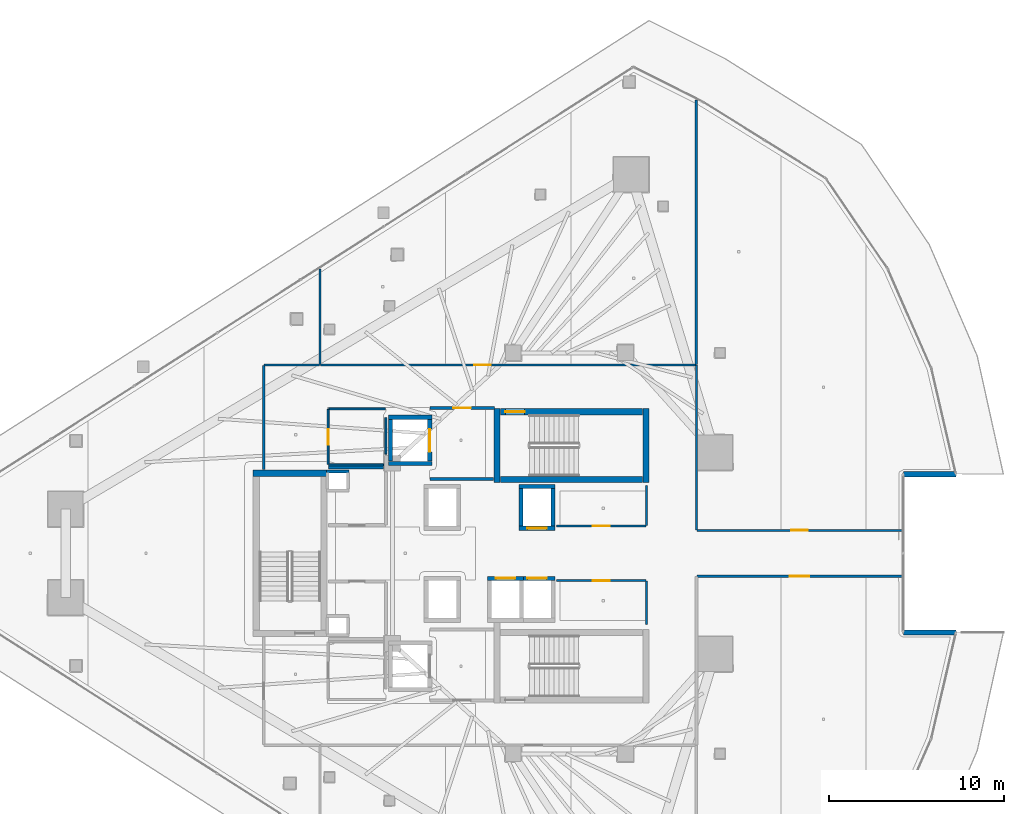
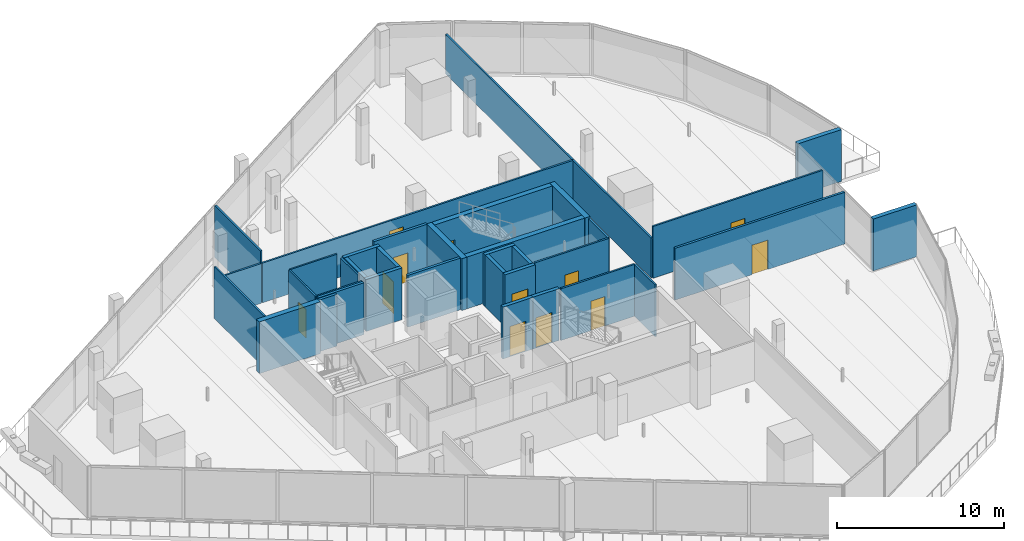
# One storey, part 26 of 36: 37 walls, 12 doors, 12 openings.
"""IFC4 building model written with IfcOpenShell, lengths in metres."""

import ifcopenshell
import ifcopenshell.guid

model = None  # the IFC model being written
_history = None  # IfcOwnerHistory: only IFC2X3 demands one
_inside = {}  # id of a spatial element -> (the spatial element, [elements in it])
_under = {}  # id of a project, library or spatial element -> (it, [spatial elements below it])
_declared = {}  # id of a project -> (the project, [libraries it declares])
_typed = {}  # id of a type object -> (the type object, [elements of that type])
_made_of = {}  # id of a material, layer set ... -> (it, [elements and type objects made of it])


def new_model(schema):
    """Start an empty IFC model of exactly this schema.

    Asked for "IFC4X3", IfcOpenShell would pick the latest addendum, in which some entities
    have other attributes; the version numbers below select the first issue.
    IFC2X3 requires an IfcOwnerHistory on every rooted entity: one is made here for all.
    """
    global model, _history
    if schema == "IFC4X3":
        model = ifcopenshell.file(schema_version=(4, 3, 0, 0))
    else:
        model = ifcopenshell.file(schema=schema)
    _inside.clear()
    _under.clear()
    _declared.clear()
    _typed.clear()
    _made_of.clear()
    _history = None
    if model.schema == "IFC2X3":
        org = make("IfcOrganization", Name="unknown")
        user = make(
            "IfcPersonAndOrganization",
            ThePerson=make("IfcPerson", FamilyName="unknown"),
            TheOrganization=org,
        )
        app = make(
            "IfcApplication",
            ApplicationDeveloper=org,
            Version="unknown",
            ApplicationFullName="unknown",
            ApplicationIdentifier="unknown",
        )
        _history = make(
            "IfcOwnerHistory",
            OwningUser=user,
            OwningApplication=app,
            ChangeAction="ADDED",
            CreationDate=0,
        )
    return model


def make(cls, **values):
    """One entity of the class cls with the attributes given. An attribute that is None is left unset."""
    return model.create_entity(
        cls, **{name: value for name, value in values.items() if value is not None}
    )


def rooted(cls, **values):
    """An entity with a GlobalId (a new one), such as an element, a storey or a relation."""
    return make(cls, GlobalId=ifcopenshell.guid.new(), OwnerHistory=_history, **values)


def si_unit(unit_type, name, prefix=None):
    """IfcSIUnit, for example si_unit("LENGTHUNIT", "METRE", prefix="MILLI")."""
    return make("IfcSIUnit", UnitType=unit_type, Prefix=prefix, Name=name)


def assignment(units):
    """IfcUnitAssignment: the units of a project."""
    return None if units is None else make("IfcUnitAssignment", Units=units)


def point(xyz):
    """IfcCartesianPoint."""
    return None if xyz is None else make("IfcCartesianPoint", Coordinates=xyz)


def direction(xyz):
    """IfcDirection."""
    return None if xyz is None else make("IfcDirection", DirectionRatios=xyz)


def frame(location, z_axis=None, x_axis=None):
    """IfcAxis2Placement3D, a coordinate frame: its origin and axes. An axis left out is left unset."""
    return make(
        "IfcAxis2Placement3D",
        Location=point(location),
        Axis=direction(z_axis),
        RefDirection=direction(x_axis),
    )


def frame_2d(location, x_axis=None):
    """IfcAxis2Placement2D, a coordinate frame in the plane: its origin and x axis."""
    return make(
        "IfcAxis2Placement2D", Location=point(location), RefDirection=direction(x_axis)
    )


def origin():
    """The frame at (0, 0, 0) with its axes left unset."""
    return frame((0.0, 0.0, 0.0))


def place(relative_to, where):
    """IfcLocalPlacement: puts the frame where relative to a parent placement (None: the world)."""
    return make(
        "IfcLocalPlacement", PlacementRelTo=relative_to, RelativePlacement=where
    )


def context(
    kind, dimensions, precision=None, world=None, true_north=None, identifier=None
):
    """IfcGeometricRepresentationContext, for example the 3D "Model" context."""
    return make(
        "IfcGeometricRepresentationContext",
        ContextIdentifier=identifier,
        ContextType=kind,
        CoordinateSpaceDimension=dimensions,
        Precision=precision,
        WorldCoordinateSystem=world,
        TrueNorth=true_north,
    )


def subcontext(parent, identifier, kind, view, scale=None):
    """IfcGeometricRepresentationSubContext, for example "Body" below "Model"."""
    return make(
        "IfcGeometricRepresentationSubContext",
        ContextIdentifier=identifier,
        ContextType=kind,
        ParentContext=parent,
        TargetScale=scale,
        TargetView=view,
    )


def project(units=None, contexts=None):
    """IfcProject with its units and contexts."""
    return rooted(
        "IfcProject",
        Name="project",
        RepresentationContexts=contexts,
        UnitsInContext=assignment(units),
    )


def spatial(cls, under=None, at=None, **own):
    """A site, building, storey or space (cls), placed at a placement, below another one or the project."""
    s = rooted(cls, ObjectPlacement=at, **own)
    if under is not None:
        _under.setdefault(under.id(), (under, []))[1].append(s)
    return s


def profile(cls, at=None, kind="AREA", **sizes):
    """A parametric profile (cls). Its sizes go by their IFC names, for example OverallWidth=200.0."""
    return make(cls, ProfileType=kind, Position=at, **sizes)


def rectangle(**sizes):
    """IfcRectangleProfileDef."""
    return profile("IfcRectangleProfileDef", **sizes)


def extrude(swept, where, along, depth):
    """IfcExtrudedAreaSolid: the profile swept, set in the frame where, extruded along a direction by depth."""
    return make(
        "IfcExtrudedAreaSolid",
        SweptArea=swept,
        Position=where,
        ExtrudedDirection=direction(along),
        Depth=depth,
    )


def shape(context_of_items, identifier, shape_type, items):
    """IfcShapeRepresentation: the items that make up one representation, for example the "Body"."""
    return make(
        "IfcShapeRepresentation",
        ContextOfItems=context_of_items,
        RepresentationIdentifier=identifier,
        RepresentationType=shape_type,
        Items=items,
    )


def material(Name=None, Category=None):
    """IfcMaterial."""
    return make("IfcMaterial", Name=Name, Category=Category)


def layer(
    of_material, thickness, ventilated=None, Name=None, Category=None, Priority=None
):
    """IfcMaterialLayer: one layer of a wall or slab, of a material (None: an air gap)."""
    return make(
        "IfcMaterialLayer",
        Material=of_material,
        LayerThickness=thickness,
        IsVentilated=ventilated,
        Name=Name,
        Category=Category,
        Priority=Priority,
    )


def layer_set(layers, Name=None):
    """IfcMaterialLayerSet."""
    return make("IfcMaterialLayerSet", MaterialLayers=layers, LayerSetName=Name)


def made_of(thing, what):
    """Note that an element or type object is made of a material, layer set ...; save() writes the relation."""
    if what is not None:
        _made_of.setdefault(what.id(), (what, []))[1].append(thing)
    return thing


def type_object(cls, material=None, **own):
    """A type object (cls), such as IfcWallType, which elements share."""
    return made_of(rooted(cls, **own), material)


def element(
    cls,
    number,
    at=None,
    inside=None,
    cuts=None,
    type_object=None,
    material=None,
    context=None,
    identifier="Body",
    shape_type=None,
    held_by="IfcProductDefinitionShape",
    body=None,
    shapes=None,
    **own,
):
    """One element of the class cls, such as IfcWall. Its Tag is "e" and its number.

    at: its placement. inside: the storey or other place that contains it. cuts: it is an
    opening in that element (IfcRelVoidsElement). A single representation is given by context,
    identifier, shape_type and body (its items); several are given by shapes. held_by: the class
    of the entity that holds the representations. save() writes the other relations.
    """
    e = rooted(cls, Tag="e%d" % number, ObjectPlacement=at, **own)
    if body is not None:
        shapes = [shape(context, identifier, shape_type, body)]
    if shapes is not None:
        e.Representation = make(held_by, Representations=shapes)
    if inside is not None:
        _inside.setdefault(inside.id(), (inside, []))[1].append(e)
    if cuts is not None:
        rooted(
            "IfcRelVoidsElement", RelatingBuildingElement=cuts, RelatedOpeningElement=e
        )
    if type_object is not None:
        _typed.setdefault(type_object.id(), (type_object, []))[1].append(e)
    return made_of(e, material)


def fill(opening, filler):
    """IfcRelFillsElement: the door or window that sits in an opening."""
    return rooted(
        "IfcRelFillsElement",
        RelatingOpeningElement=opening,
        RelatedBuildingElement=filler,
    )


def aggregate(whole, parts):
    """IfcRelAggregates: a whole, such as a stair, and the parts it consists of."""
    return rooted("IfcRelAggregates", RelatingObject=whole, RelatedObjects=parts)


def save(model, path):
    """Write the relations noted so far, then the file.

    IfcRelAggregates (storeys below a building ...), IfcRelContainedInSpatialStructure (elements
    in a storey), IfcRelDefinesByType, IfcRelAssociatesMaterial and IfcRelDeclares: one each for
    every whole, place, type object, material and project.
    """
    for whole, parts in _under.values():
        aggregate(whole, parts)
    for where, things in _inside.values():
        rooted(
            "IfcRelContainedInSpatialStructure",
            RelatedElements=things,
            RelatingStructure=where,
        )
    for kind, things in _typed.values():
        rooted("IfcRelDefinesByType", RelatedObjects=things, RelatingType=kind)
    for what, things in _made_of.values():
        rooted("IfcRelAssociatesMaterial", RelatedObjects=things, RelatingMaterial=what)
    for by, libraries in _declared.values():
        rooted("IfcRelDeclares", RelatingContext=by, RelatedDefinitions=libraries)
    model.write(path)


model = new_model("IFC4")

# Units and contexts
model_context = context("Model", 3, precision=1e-05, world=origin(), true_north=direction((0.0, 1.0)))
body_context = subcontext(model_context, "Body", "Model", "MODEL_VIEW")
ifc_project = project(units=[si_unit("LENGTHUNIT", "METRE"), si_unit("AREAUNIT", "SQUARE_METRE"), si_unit("VOLUMEUNIT", "CUBIC_METRE"), si_unit("PLANEANGLEUNIT", "RADIAN"), si_unit("MASSUNIT", "GRAM", prefix="KILO")], contexts=[model_context])

# Site, building, storey
site_placement = place(None, origin())
site = spatial("IfcSite", under=ifc_project, at=site_placement, CompositionType="ELEMENT")
building_placement = place(site_placement, origin())
building = spatial("IfcBuilding", under=site, at=building_placement, Name="Qorvath Tower", CompositionType="ELEMENT")
storey_placement = place(building_placement, frame((0.0, 0.0, 192.89990234375)))
storey = spatial("IfcBuildingStorey", under=building, at=storey_placement, Name="L44", CompositionType="ELEMENT", Elevation=192.89990234375)

# Walls
ifc_material_1 = material(Name="Gypsum shaftliner on steel studs", Category="steel")
ifc_layer_1 = layer(ifc_material_1, 0.179931640625)
ifc_layer_set_1 = layer_set([ifc_layer_1], Name="FW-LOBBY")
wall_type_1 = type_object("IfcWallType", Name="FW-LOBBY", PredefinedType="PARTITIONING", material=ifc_layer_set_1)
wall_1_placement = place(storey_placement, frame((-34.260009765625, 4.675048828125, 0.0), z_axis=(0.0, 0.0, 1.0), x_axis=(1.0, 0.0, 0.0)))
element("IfcWall", 1, at=wall_1_placement, inside=storey, type_object=wall_type_1, Name="MEP Riser Shaft Enclosure Wall N-L44-N", PredefinedType="PARTITIONING", context=body_context, shape_type="SweptSolid", body=[
    extrude(rectangle(XDim=1.27001953125, YDim=0.179931640625, at=frame_2d((0.635009765625, 0.0))), origin(), (0.0, 0.0, 1.0), 3.780029296875),
])
wall_2_placement = place(storey_placement, frame((-28.35498046875, 4.25, 0.0), z_axis=(0.0, 0.0, 1.0), x_axis=(1.0, 0.0, 0.0)))
element("IfcWall", 2, at=wall_2_placement, inside=storey, type_object=wall_type_1, Name="Interior Partition IW-T1-L44-001", PredefinedType="PARTITIONING", context=body_context, shape_type="SweptSolid", body=[
    extrude(rectangle(XDim=3.6220703125, YDim=0.179931640625, at=frame_2d((1.81103515625, 0.0))), origin(), (0.0, 0.0, 1.0), 3.780029296875),
])

# Wall, opening, door
wall_3_placement = place(storey_placement, frame((-24.68408203125, 8.300048828125, 0.0), z_axis=(0.0, 0.0, 1.0), x_axis=(-1.0, 0.0, 0.0)))
wall_3 = element("IfcWall", 3, at=wall_3_placement, inside=storey, type_object=wall_type_1, Name="Interior Partition IW-T1-L44-002", PredefinedType="PARTITIONING", context=body_context, shape_type="SweptSolid", body=[
    extrude(rectangle(XDim=3.6708984375, YDim=0.179931640625, at=frame_2d((1.83544921875, 0.0))), origin(), (0.0, 0.0, 1.0), 3.780029296875),
])
opening_1_placement = place(wall_3_placement, frame((1.33544921875, 0.0, 0.0)))
opening_1 = element("IfcOpeningElement", 4, at=opening_1_placement, cuts=wall_3, Name="Opening D-T1-L44-12", PredefinedType="OPENING", context=body_context, shape_type="SweptSolid", body=[
    extrude(rectangle(XDim=1.0, YDim=2.14990234375, at=frame_2d((0.5, 1.074951171875))), frame((0.0, 0.10009765625, 0.0), z_axis=(0.0, -1.0, 0.0), x_axis=(1.0, 0.0, 0.0)), (0.0, 0.0, 1.0), 0.199951171875),
])
ifc_material_2 = material(Name="Painted galvanised hollow metal", Category="steel")
door_type_1 = type_object("IfcDoorType", Name="FD-60", OperationType="NOTDEFINED", PredefinedType="DOOR", material=ifc_material_2)
door_1_placement = place(opening_1_placement, origin())
door_1 = element("IfcDoor", 5, at=door_1_placement, inside=storey, type_object=door_type_1, Name="Lobby Fire Service Elevator North Door D-T1-L44-12", OperationType="SINGLE_SWING_RIGHT", OverallHeight=2.14990234375, OverallWidth=1.0, PredefinedType="DOOR", context=body_context, shape_type="SweptSolid", body=[
    extrude(rectangle(XDim=1.0, YDim=2.14990234375, at=frame_2d((0.5, 1.074951171875))), frame((0.0, 0.02490234375, 0.0), z_axis=(0.0, -1.0, 0.0), x_axis=(1.0, 0.0, 0.0)), (0.0, 0.0, 1.0), 0.050048828125),
])
fill(opening_1, door_1)

# Wall
wall_4_placement = place(storey_placement, frame((-31.014892578125, 4.89990234375, 0.0), z_axis=(0.0, 0.0, 1.0), x_axis=(-1.0, 0.0, 0.0)))
element("IfcWall", 6, at=wall_4_placement, inside=storey, type_object=wall_type_1, Name="Interior Partition IW-T1-L44-019", PredefinedType="PARTITIONING", context=body_context, shape_type="SweptSolid", body=[
    extrude(rectangle(XDim=3.139892578125, YDim=0.179931640625, at=frame_2d((1.56982421875, 0.0))), origin(), (0.0, 0.0, 1.0), 3.780029296875),
])

# Wall, opening, door
ifc_material_3 = material(Name="Double acoustic gypsum board on steel studs", Category="steel")
ifc_layer_2 = layer(ifc_material_3, 0.159912109375)
ifc_layer_set_2 = layer_set([ifc_layer_2], Name="IW-ACOUSTIC-160")
wall_type_2 = type_object("IfcWallType", Name="IW-ACOUSTIC-160", PredefinedType="PARTITIONING", material=ifc_layer_set_2)
wall_5_placement = place(storey_placement, frame((-1.4091796875, -1.30810546875, 0.0), z_axis=(0.0, 0.0, 1.0), x_axis=(-1.0, 0.0, 0.0)))
wall_5 = element("IfcWall", 7, at=wall_5_placement, inside=storey, type_object=wall_type_2, Name="Interior Partition IW-T1-L44-035", PredefinedType="PARTITIONING", context=body_context, shape_type="SweptSolid", body=[
    extrude(rectangle(XDim=11.7080078125, YDim=0.159912109375, at=frame_2d((5.85400390625, 0.0))), origin(), (0.0, 0.0, 1.0), 3.780029296875),
])
opening_2_placement = place(wall_5_placement, frame((5.303955078125, 0.0, 0.0)))
opening_2 = element("IfcOpeningElement", 8, at=opening_2_placement, cuts=wall_5, Name="Opening D-T1-L44-11", PredefinedType="OPENING", context=body_context, shape_type="SweptSolid", body=[
    extrude(rectangle(XDim=1.10009765625, YDim=2.14990234375, at=frame_2d((0.550048828125, 1.074951171875))), frame((0.0, 0.08984375, 0.0), z_axis=(0.0, -1.0, 0.0), x_axis=(1.0, 0.0, 0.0)), (0.0, 0.0, 1.0), 0.179931640625),
])
ifc_material_4 = material(Name="Anodised aluminium acoustic framed glass", Category="aluminium")
door_type_2 = type_object("IfcDoorType", Name="D-03", OperationType="NOTDEFINED", PredefinedType="DOOR", material=ifc_material_4)
door_2_placement = place(opening_2_placement, origin())
door_2 = element("IfcDoor", 9, at=door_2_placement, inside=storey, type_object=door_type_2, Name="L44-05 Client Services Office Door D-T1-L44-11", OperationType="SINGLE_SWING_LEFT", OverallHeight=2.14990234375, OverallWidth=1.10009765625, PredefinedType="DOOR", context=body_context, shape_type="SweptSolid", body=[
    extrude(rectangle(XDim=1.10009765625, YDim=2.14990234375, at=frame_2d((0.550048828125, 1.074951171875))), frame((0.0, 0.02490234375, 0.0), z_axis=(0.0, -1.0, 0.0), x_axis=(1.0, 0.0, 0.0)), (0.0, 0.0, 1.0), 0.050048828125),
])
fill(opening_2, door_2)

ifc_material_5 = material(Name="Gypsum board on metal studs with mineral wool", Category="gypsum")
ifc_layer_3 = layer(ifc_material_5, 0.125)
ifc_layer_set_3 = layer_set([ifc_layer_3], Name="IW-PART-125")
wall_type_3 = type_object("IfcWallType", Name="IW-PART-125", PredefinedType="PARTITIONING", material=ifc_layer_set_3)
wall_6_placement = place(storey_placement, frame((-21.1337890625, 1.56005859375, 0.0), z_axis=(0.0, 0.0, 1.0), x_axis=(1.0, 0.0, 0.0)))
wall_6 = element("IfcWall", 10, at=wall_6_placement, inside=storey, type_object=wall_type_3, Name="Interior Partition IW-T1-L44-013", PredefinedType="PARTITIONING", context=body_context, shape_type="SweptSolid", body=[
    extrude(rectangle(XDim=5.10888671875, YDim=0.125, at=frame_2d((2.554443359375, 0.0))), origin(), (0.0, 0.0, 1.0), 3.780029296875),
])
opening_3_placement = place(wall_6_placement, frame((2.079345703125, 0.0, 0.0)))
opening_3 = element("IfcOpeningElement", 11, at=opening_3_placement, cuts=wall_6, Name="Opening D-T1-L44-03", PredefinedType="OPENING", context=body_context, shape_type="SweptSolid", body=[
    extrude(rectangle(XDim=0.949951171875, YDim=2.14990234375, at=frame_2d((0.47509765625, 1.074951171875))), frame((0.0, 0.072509765625, 0.0), z_axis=(0.0, -1.0, 0.0), x_axis=(1.0, 0.0, 0.0)), (0.0, 0.0, 1.0), 0.14501953125),
])
ifc_material_6 = material(Name="Solid-core American white oak veneer", Category="wood")
door_type_3 = type_object("IfcDoorType", Name="D-01", OperationType="NOTDEFINED", PredefinedType="DOOR", material=ifc_material_6)
door_3_placement = place(opening_3_placement, origin())
door_3 = element("IfcDoor", 12, at=door_3_placement, inside=storey, type_object=door_type_3, Name="L44-RCN North Quantitative Server Room Door D-T1-L44-03", OperationType="SINGLE_SWING_LEFT", OverallHeight=2.14990234375, OverallWidth=0.949951171875, PredefinedType="DOOR", context=body_context, shape_type="SweptSolid", body=[
    extrude(rectangle(XDim=0.949951171875, YDim=2.14990234375, at=frame_2d((0.47509765625, 1.074951171875))), frame((0.0, 0.02490234375, 0.0), z_axis=(0.0, -1.0, 0.0), x_axis=(1.0, 0.0, 0.0)), (0.0, 0.0, 1.0), 0.050048828125),
])
fill(opening_3, door_3)

# Walls
wall_7_placement = place(storey_placement, frame((-16.0, 1.585205078125, 0.0), z_axis=(0.0, 0.0, 1.0), x_axis=(0.0, 1.0, 0.0)))
element("IfcWall", 13, at=wall_7_placement, inside=storey, type_object=wall_type_3, Name="Interior Partition IW-T1-L44-014", PredefinedType="PARTITIONING", context=body_context, shape_type="SweptSolid", body=[
    extrude(rectangle(XDim=2.30224609375, YDim=0.125, at=frame_2d((1.151123046875, 0.0))), origin(), (0.0, 0.0, 1.0), 3.780029296875),
])
wall_8_placement = place(storey_placement, frame((-16.0, -4.0751953125, 0.0), z_axis=(0.0, 0.0, 1.0), x_axis=(0.0, 1.0, 0.0)))
element("IfcWall", 14, at=wall_8_placement, inside=storey, type_object=wall_type_3, Name="Interior Partition IW-T1-L44-015", PredefinedType="PARTITIONING", context=body_context, shape_type="SweptSolid", body=[
    extrude(rectangle(XDim=2.489990234375, YDim=0.125, at=frame_2d((1.2451171875, 0.0))), origin(), (0.0, 0.0, 1.0), 3.780029296875),
])

# Wall, opening, door
wall_9_placement = place(storey_placement, frame((-16.02490234375, -1.56005859375, 0.0), z_axis=(0.0, 0.0, 1.0), x_axis=(-1.0, 0.0, 0.0)))
wall_9 = element("IfcWall", 15, at=wall_9_placement, inside=storey, type_object=wall_type_3, Name="Interior Partition IW-T1-L44-016", PredefinedType="PARTITIONING", context=body_context, shape_type="SweptSolid", body=[
    extrude(rectangle(XDim=5.10888671875, YDim=0.125, at=frame_2d((2.554443359375, 0.0))), origin(), (0.0, 0.0, 1.0), 3.780029296875),
])
opening_4_placement = place(wall_9_placement, frame((2.079345703125, 0.0, 0.0)))
opening_4 = element("IfcOpeningElement", 16, at=opening_4_placement, cuts=wall_9, Name="Opening D-T1-L44-04", PredefinedType="OPENING", context=body_context, shape_type="SweptSolid", body=[
    extrude(rectangle(XDim=0.949951171875, YDim=2.14990234375, at=frame_2d((0.47509765625, 1.074951171875))), frame((0.0, 0.072509765625, 0.0), z_axis=(0.0, -1.0, 0.0), x_axis=(1.0, 0.0, 0.0)), (0.0, 0.0, 1.0), 0.14501953125),
])
door_4_placement = place(opening_4_placement, origin())
door_4 = element("IfcDoor", 17, at=door_4_placement, inside=storey, type_object=door_type_3, Name="L44-RCS South Quantitative Server Room Door D-T1-L44-04", OperationType="SINGLE_SWING_RIGHT", OverallHeight=2.14990234375, OverallWidth=0.949951171875, PredefinedType="DOOR", context=body_context, shape_type="SweptSolid", body=[
    extrude(rectangle(XDim=0.949951171875, YDim=2.14990234375, at=frame_2d((0.47509765625, 1.074951171875))), frame((0.0, 0.02490234375, 0.0), z_axis=(0.0, -1.0, 0.0), x_axis=(1.0, 0.0, 0.0)), (0.0, 0.0, 1.0), 0.050048828125),
])
fill(opening_4, door_4)

# Walls
wall_10_placement = place(storey_placement, frame((-37.85791015625, 4.783203125, 0.0), z_axis=(0.0, 0.0, 1.0), x_axis=(0.0, 1.0, 0.0)))
element("IfcWall", 18, at=wall_10_placement, inside=storey, type_object=wall_type_3, Name="Interior Partition IW-T1-L44-026", PredefinedType="PARTITIONING", context=body_context, shape_type="SweptSolid", body=[
    extrude(rectangle(XDim=5.949951171875, YDim=0.125, at=frame_2d((2.97509765625, 0.0))), origin(), (0.0, 0.0, 1.0), 3.780029296875),
])
wall_11_placement = place(storey_placement, frame((-34.6748046875, 10.758056640625, 0.0), z_axis=(0.0, 0.0, 1.0), x_axis=(-1.0, 0.0, 0.0)))
element("IfcWall", 19, at=wall_11_placement, inside=storey, type_object=wall_type_3, Name="Interior Partition IW-T1-L44-027", PredefinedType="PARTITIONING", context=body_context, shape_type="SweptSolid", body=[
    extrude(rectangle(XDim=3.158203125, YDim=0.125, at=frame_2d((1.5791015625, 0.0))), origin(), (0.0, 0.0, 1.0), 2.89990234375),
])
wall_12_placement = place(storey_placement, frame((-34.64990234375, 10.783203125, 0.0), z_axis=(0.0, 0.0, 1.0), x_axis=(0.0, 1.0, 0.0)))
element("IfcWall", 20, at=wall_12_placement, inside=storey, type_object=wall_type_3, Name="Interior Partition IW-T1-L44-028", PredefinedType="PARTITIONING", context=body_context, shape_type="SweptSolid", body=[
    extrude(rectangle(XDim=5.462890625, YDim=0.125, at=frame_2d((2.7314453125, 0.0))), origin(), (0.0, 0.0, 1.0), 3.780029296875),
])

# Wall, opening, door
wall_13_placement = place(storey_placement, frame((-34.6171875, 10.758056640625, 0.0), z_axis=(0.0, 0.0, 1.0), x_axis=(1.0, 0.0, 0.0)))
wall_13 = element("IfcWall", 21, at=wall_13_placement, inside=storey, type_object=wall_type_3, Name="Interior Partition IW-T1-L44-029", PredefinedType="PARTITIONING", context=body_context, shape_type="SweptSolid", body=[
    extrude(rectangle(XDim=21.4423828125, YDim=0.125, at=frame_2d((10.72119140625, 0.0))), origin(), (0.0, 0.0, 1.0), 2.89990234375),
])
opening_5_placement = place(wall_13_placement, frame((8.782470703125, 0.0, 0.0)))
opening_5 = element("IfcOpeningElement", 22, at=opening_5_placement, cuts=wall_13, Name="Opening D-T1-L44-08", PredefinedType="OPENING", context=body_context, shape_type="SweptSolid", body=[
    extrude(rectangle(XDim=0.949951171875, YDim=2.14990234375, at=frame_2d((0.47509765625, 1.074951171875))), frame((0.0, 0.072509765625, 0.0), z_axis=(0.0, -1.0, 0.0), x_axis=(1.0, 0.0, 0.0)), (0.0, 0.0, 1.0), 0.14501953125),
])
door_5_placement = place(opening_5_placement, origin())
door_5 = element("IfcDoor", 23, at=door_5_placement, inside=storey, type_object=door_type_3, Name="L44-02 Quantitative Research Studio Door D-T1-L44-08", OperationType="SINGLE_SWING_RIGHT", OverallHeight=2.14990234375, OverallWidth=0.949951171875, PredefinedType="DOOR", context=body_context, shape_type="SweptSolid", body=[
    extrude(rectangle(XDim=0.949951171875, YDim=2.14990234375, at=frame_2d((0.47509765625, 1.074951171875))), frame((0.0, 0.02490234375, 0.0), z_axis=(0.0, -1.0, 0.0), x_axis=(1.0, 0.0, 0.0)), (0.0, 0.0, 1.0), 0.050048828125),
])
fill(opening_5, door_5)

# Walls
wall_14_placement = place(storey_placement, frame((-13.14990234375, 10.783203125, 0.0), z_axis=(0.0, 0.0, 1.0), x_axis=(0.0, 1.0, 0.0)))
element("IfcWall", 24, at=wall_14_placement, inside=storey, type_object=wall_type_3, Name="Interior Partition IW-T1-L44-030", PredefinedType="PARTITIONING", context=body_context, shape_type="SweptSolid", body=[
    extrude(rectangle(XDim=15.111328125, YDim=0.125, at=frame_2d((7.5556640625, 0.0))), origin(), (0.0, 0.0, 1.0), 2.89990234375),
])
wall_15_placement = place(storey_placement, frame((-13.14208984375, 10.75830078125, 0.0), z_axis=(0.0, 0.0, 1.0), x_axis=(0.0, -1.0, 0.0)))
element("IfcWall", 25, at=wall_15_placement, inside=storey, type_object=wall_type_3, Name="Interior Partition IW-T1-L44-033", PredefinedType="PARTITIONING", context=body_context, shape_type="SweptSolid", body=[
    extrude(rectangle(XDim=9.42529296875, YDim=0.125, at=frame_2d((4.712646484375, 0.0))), origin(), (0.0, 0.0, 1.0), 2.89990234375),
])

# Wall, opening, door
wall_16_placement = place(storey_placement, frame((-13.1171875, 1.30810546875, 0.0), z_axis=(0.0, 0.0, 1.0), x_axis=(1.0, 0.0, 0.0)))
wall_16 = element("IfcWall", 26, at=wall_16_placement, inside=storey, type_object=wall_type_3, Name="Interior Partition IW-T1-L44-034", PredefinedType="PARTITIONING", context=body_context, shape_type="SweptSolid", body=[
    extrude(rectangle(XDim=11.7080078125, YDim=0.125, at=frame_2d((5.85400390625, 0.0))), origin(), (0.0, 0.0, 1.0), 3.780029296875),
])
opening_6_placement = place(wall_16_placement, frame((5.37890625, 0.0, 0.0)))
opening_6 = element("IfcOpeningElement", 27, at=opening_6_placement, cuts=wall_16, Name="Opening D-T1-L44-10", PredefinedType="OPENING", context=body_context, shape_type="SweptSolid", body=[
    extrude(rectangle(XDim=0.949951171875, YDim=2.14990234375, at=frame_2d((0.47509765625, 1.074951171875))), frame((0.0, 0.072509765625, 0.0), z_axis=(0.0, -1.0, 0.0), x_axis=(1.0, 0.0, 0.0)), (0.0, 0.0, 1.0), 0.14501953125),
])
door_6_placement = place(opening_6_placement, origin())
door_6 = element("IfcDoor", 28, at=door_6_placement, inside=storey, type_object=door_type_3, Name="L44-04 Design Pin-Up Atelier Door D-T1-L44-10", OperationType="SINGLE_SWING_RIGHT", OverallHeight=2.14990234375, OverallWidth=0.949951171875, PredefinedType="DOOR", context=body_context, shape_type="SweptSolid", body=[
    extrude(rectangle(XDim=0.949951171875, YDim=2.14990234375, at=frame_2d((0.47509765625, 1.074951171875))), frame((0.0, 0.02490234375, 0.0), z_axis=(0.0, -1.0, 0.0), x_axis=(1.0, 0.0, 0.0)), (0.0, 0.0, 1.0), 0.050048828125),
])
fill(opening_6, door_6)

ifc_material_7 = material(Name="Moisture-resistant cement board on metal studs", Category="gypsum")
ifc_layer_4 = layer(ifc_material_7, 0.110107421875)
ifc_layer_set_4 = layer_set([ifc_layer_4], Name="IW-WC-110")
wall_type_4 = type_object("IfcWallType", Name="IW-WC-110", PredefinedType="PARTITIONING", material=ifc_layer_set_4)
wall_17_placement = place(storey_placement, frame((-34.179931640625, 8.22509765625, 0.0), z_axis=(0.0, 0.0, 1.0), x_axis=(0.0, -1.0, 0.0)))
wall_17 = element("IfcWall", 29, at=wall_17_placement, inside=storey, type_object=wall_type_4, Name="Interior Partition IW-T1-L44-005", PredefinedType="PARTITIONING", context=body_context, shape_type="SweptSolid", body=[
    extrude(rectangle(XDim=3.150146484375, YDim=0.110107421875, at=frame_2d((1.5751953125, 0.0))), origin(), (0.0, 0.0, 1.0), 3.780029296875),
])
opening_7_placement = place(wall_17_placement, frame((1.135009765625, 0.0, 0.0)))
opening_7 = element("IfcOpeningElement", 30, at=opening_7_placement, cuts=wall_17, Name="Opening D-T1-L44-01", PredefinedType="OPENING", context=body_context, shape_type="SweptSolid", body=[
    extrude(rectangle(XDim=0.8798828125, YDim=2.10009765625, at=frame_2d((0.43994140625, 1.050048828125))), frame((0.0, 0.06494140625, 0.0), z_axis=(0.0, -1.0, 0.0), x_axis=(1.0, 0.0, 0.0)), (0.0, 0.0, 1.0), 0.130126953125),
])
ifc_material_8 = material(Name="Solid-core oak with acoustic drop seal", Category="wood")
door_type_4 = type_object("IfcDoorType", Name="D-02", OperationType="NOTDEFINED", PredefinedType="DOOR", material=ifc_material_8)
door_7_placement = place(opening_7_placement, origin())
door_7 = element("IfcDoor", 31, at=door_7_placement, inside=storey, type_object=door_type_4, Name="WC All-Gender North L44 Door D-T1-L44-01", OperationType="SINGLE_SWING_LEFT", OverallHeight=2.10009765625, OverallWidth=0.8798828125, PredefinedType="DOOR", context=body_context, shape_type="SweptSolid", body=[
    extrude(rectangle(XDim=0.8798828125, YDim=2.10009765625, at=frame_2d((0.43994140625, 1.050048828125))), frame((0.0, 0.02490234375, 0.0), z_axis=(0.0, -1.0, 0.0), x_axis=(1.0, 0.0, 0.0)), (0.0, 0.0, 1.0), 0.050048828125),
])
fill(opening_7, door_7)

# Walls
wall_18_placement = place(storey_placement, frame((-34.15478515625, 5.050048828125, 0.0), z_axis=(0.0, 0.0, 1.0), x_axis=(1.0, 0.0, 0.0)))
element("IfcWall", 32, at=wall_18_placement, inside=storey, type_object=wall_type_4, Name="Interior Partition IW-T1-L44-006", PredefinedType="PARTITIONING", context=body_context, shape_type="SweptSolid", body=[
    extrude(rectangle(XDim=3.139892578125, YDim=0.110107421875, at=frame_2d((1.56982421875, 0.0))), origin(), (0.0, 0.0, 1.0), 3.780029296875),
])
wall_19_placement = place(storey_placement, frame((-30.8798828125, 5.6650390625, 0.0), z_axis=(0.0, 0.0, 1.0), x_axis=(0.0, 1.0, 0.0)))
element("IfcWall", 33, at=wall_19_placement, inside=storey, type_object=wall_type_4, Name="Interior Partition IW-T1-L44-007", PredefinedType="PARTITIONING", context=body_context, shape_type="SweptSolid", body=[
    extrude(rectangle(XDim=2.077880859375, YDim=0.110107421875, at=frame_2d((1.0390625, 0.0))), origin(), (0.0, 0.0, 1.0), 3.780029296875),
])
wall_20_placement = place(storey_placement, frame((-30.90478515625, 8.25, 0.0), z_axis=(0.0, 0.0, 1.0), x_axis=(-1.0, 0.0, 0.0)))
element("IfcWall", 34, at=wall_20_placement, inside=storey, type_object=wall_type_4, Name="Interior Partition IW-T1-L44-008", PredefinedType="PARTITIONING", context=body_context, shape_type="SweptSolid", body=[
    extrude(rectangle(XDim=3.25, YDim=0.110107421875, at=frame_2d((1.625, 0.0))), origin(), (0.0, 0.0, 1.0), 3.780029296875),
])
ifc_material_9 = material(Name="Concrete C60/75", Category="concrete")
ifc_layer_5 = layer(ifc_material_9, 0.260009765625)
ifc_layer_set_5 = layer_set([ifc_layer_5], Name="SW-SHAFT")
wall_type_5 = type_object("IfcWallType", Name="SW-SHAFT", PredefinedType="SHEAR", material=ifc_layer_set_5)
for number, where, z_axis, x_axis, name in (
    (35, (-28.260009765625, 5.1298828125, 0.0), (0.0, 0.0, 1.0), (-1.0, 0.0, 0.0), "Hoistway Wall FSAE-1 L44 S"),
    (36, (-30.739990234375, 7.77001953125, 0.0), (0.0, 0.0, 1.0), (1.0, 0.0, 0.0), "Hoistway Wall FSAE-1 L44 N"),
):
    element("IfcWall", number, at=place(storey_placement, frame(where, z_axis=z_axis, x_axis=x_axis)), inside=storey, type_object=wall_type_5, Name=name, PredefinedType="SHEAR", context=body_context, shape_type="SweptSolid", body=[
        extrude(rectangle(XDim=2.47998046875, YDim=0.239990234375, at=frame_2d((1.239990234375, 0.0))), origin(), (0.0, 0.0, 1.0), 3.780029296875),
    ])
wall_21_placement = place(storey_placement, frame((-30.6201171875, 5.261962890625, 0.0), z_axis=(0.0, 0.0, 1.0), x_axis=(0.0, 1.0, 0.0)))
element("IfcWall", 37, at=wall_21_placement, inside=storey, type_object=wall_type_5, Name="Hoistway Wall FSAE-1 L44 W", PredefinedType="SHEAR", context=body_context, shape_type="SweptSolid", body=[
    extrude(rectangle(XDim=2.3759765625, YDim=0.239990234375, at=frame_2d((1.18798828125, 0.0))), origin(), (0.0, 0.0, 1.0), 3.780029296875),
])

# Wall, opening, door
wall_22_placement = place(storey_placement, frame((-28.3798828125, 7.637939453125, 0.0), z_axis=(0.0, 0.0, 1.0), x_axis=(0.0, -1.0, 0.0)))
wall_22 = element("IfcWall", 38, at=wall_22_placement, inside=storey, type_object=wall_type_5, Name="Hoistway Wall FSAE-1 L44 E", PredefinedType="SHEAR", context=body_context, shape_type="SweptSolid", body=[
    extrude(rectangle(XDim=2.3759765625, YDim=0.239990234375, at=frame_2d((1.18798828125, 0.0))), origin(), (0.0, 0.0, 1.0), 3.780029296875),
])
opening_8_placement = place(wall_22_placement, frame((0.537841796875, 0.0, 0.0)))
opening_8 = element("IfcOpeningElement", 39, at=opening_8_placement, cuts=wall_22, Name="Opening LD-FSAE-1-L44", PredefinedType="OPENING", context=body_context, shape_type="SweptSolid", body=[
    extrude(rectangle(XDim=1.300048828125, YDim=2.300048828125, at=frame_2d((0.64990234375, 1.14990234375))), frame((0.0, 0.1298828125, 0.0), z_axis=(0.0, -1.0, 0.0), x_axis=(1.0, 0.0, 0.0)), (0.0, 0.0, 1.0), 0.260009765625),
])
ifc_material_10 = material(Name="Brushed stainless steel AISI 316", Category="steel")
door_type_5 = type_object("IfcDoorType", Name="LD-02", OperationType="NOTDEFINED", PredefinedType="DOOR", material=ifc_material_10)
door_8_placement = place(opening_8_placement, origin())
door_8 = element("IfcDoor", 40, at=door_8_placement, inside=storey, type_object=door_type_5, Name="Elevator Landing Sliding Door LD-FSAE-1-L44", OperationType="DOUBLE_DOOR_SLIDING", OverallHeight=2.300048828125, OverallWidth=1.300048828125, PredefinedType="DOOR", context=body_context, shape_type="SweptSolid", body=[
    extrude(rectangle(XDim=1.300048828125, YDim=2.300048828125, at=frame_2d((0.64990234375, 1.14990234375))), frame((0.0, 0.02490234375, 0.0), z_axis=(0.0, -1.0, 0.0), x_axis=(1.0, 0.0, 0.0)), (0.0, 0.0, 1.0), 0.050048828125),
])
fill(opening_8, door_8)

wall_23_placement = place(storey_placement, frame((-21.2099609375, 1.429931640625, 0.0), z_axis=(0.0, 0.0, 1.0), x_axis=(-1.0, 0.0, 0.0)))
wall_23 = element("IfcWall", 41, at=wall_23_placement, inside=storey, type_object=wall_type_5, Name="Hoistway Wall PU-1 L44 S", PredefinedType="SHEAR", context=body_context, shape_type="SweptSolid", body=[
    extrude(rectangle(XDim=2.080078125, YDim=0.239990234375, at=frame_2d((1.0400390625, 0.0))), origin(), (0.0, 0.0, 1.0), 3.780029296875),
])
opening_9_placement = place(wall_23_placement, frame((0.489990234375, 0.0, 0.0)))
opening_9 = element("IfcOpeningElement", 42, at=opening_9_placement, cuts=wall_23, Name="Opening LD-PU-1-L44", PredefinedType="OPENING", context=body_context, shape_type="SweptSolid", body=[
    extrude(rectangle(XDim=1.10009765625, YDim=2.199951171875, at=frame_2d((0.550048828125, 1.10009765625))), frame((0.0, 0.1298828125, 0.0), z_axis=(0.0, -1.0, 0.0), x_axis=(1.0, 0.0, 0.0)), (0.0, 0.0, 1.0), 0.260009765625),
])
ifc_material_11 = material(Name="Brushed stainless steel AISI 316", Category="steel")
door_type_6 = type_object("IfcDoorType", Name="LD-01", OperationType="NOTDEFINED", PredefinedType="DOOR", material=ifc_material_11)
door_9_placement = place(opening_9_placement, origin())
door_9 = element("IfcDoor", 43, at=door_9_placement, inside=storey, type_object=door_type_6, Name="Elevator Landing Sliding Door LD-PU-1-L44", OperationType="DOUBLE_DOOR_SLIDING", OverallHeight=2.199951171875, OverallWidth=1.10009765625, PredefinedType="DOOR", context=body_context, shape_type="SweptSolid", body=[
    extrude(rectangle(XDim=1.10009765625, YDim=2.199951171875, at=frame_2d((0.550048828125, 1.10009765625))), frame((0.0, 0.02490234375, 0.0), z_axis=(0.0, -1.0, 0.0), x_axis=(1.0, 0.0, 0.0)), (0.0, 0.0, 1.0), 0.050048828125),
])
fill(opening_9, door_9)

# Walls
wall_24_placement = place(storey_placement, frame((-23.2900390625, 3.820068359375, 0.0), z_axis=(0.0, 0.0, 1.0), x_axis=(1.0, 0.0, 0.0)))
element("IfcWall", 44, at=wall_24_placement, inside=storey, type_object=wall_type_5, Name="Hoistway Wall PU-1 L44 N", PredefinedType="SHEAR", context=body_context, shape_type="SweptSolid", body=[
    extrude(rectangle(XDim=2.080078125, YDim=0.239990234375, at=frame_2d((1.0400390625, 0.0))), origin(), (0.0, 0.0, 1.0), 3.780029296875),
])
for number, where, z_axis, x_axis, name in (
    (45, (-23.169921875, 1.56201171875, 0.0), (0.0, 0.0, 1.0), (0.0, 1.0, 0.0), "Hoistway Wall PU-1 L44 W"),
    (46, (-21.330078125, 3.68798828125, 0.0), (0.0, 0.0, 1.0), (0.0, -1.0, 0.0), "Hoistway Wall PU-1 L44 E"),
):
    element("IfcWall", number, at=place(storey_placement, frame(where, z_axis=z_axis, x_axis=x_axis)), inside=storey, type_object=wall_type_5, Name=name, PredefinedType="SHEAR", context=body_context, shape_type="SweptSolid", body=[
        extrude(rectangle(XDim=2.1259765625, YDim=0.239990234375, at=frame_2d((1.06298828125, 0.0))), origin(), (0.0, 0.0, 1.0), 3.780029296875),
    ])

# Wall, opening, door
wall_25_placement = place(storey_placement, frame((-25.090087890625, -1.429931640625, 0.0), z_axis=(0.0, 0.0, 1.0), x_axis=(1.0, 0.0, 0.0)))
wall_25 = element("IfcWall", 47, at=wall_25_placement, inside=storey, type_object=wall_type_5, Name="Hoistway Wall PU-2 L44 N", PredefinedType="SHEAR", context=body_context, shape_type="SweptSolid", body=[
    extrude(rectangle(XDim=2.080078125, YDim=0.239990234375, at=frame_2d((1.0400390625, 0.0))), origin(), (0.0, 0.0, 1.0), 3.780029296875),
])
opening_10_placement = place(wall_25_placement, frame((0.489990234375, 0.0, 0.0)))
opening_10 = element("IfcOpeningElement", 48, at=opening_10_placement, cuts=wall_25, Name="Opening LD-PU-2-L44", PredefinedType="OPENING", context=body_context, shape_type="SweptSolid", body=[
    extrude(rectangle(XDim=1.10009765625, YDim=2.199951171875, at=frame_2d((0.550048828125, 1.10009765625))), frame((0.0, 0.1298828125, 0.0), z_axis=(0.0, -1.0, 0.0), x_axis=(1.0, 0.0, 0.0)), (0.0, 0.0, 1.0), 0.260009765625),
])
door_10_placement = place(opening_10_placement, origin())
door_10 = element("IfcDoor", 49, at=door_10_placement, inside=storey, type_object=door_type_6, Name="Elevator Landing Sliding Door LD-PU-2-L44", OperationType="DOUBLE_DOOR_SLIDING", OverallHeight=2.199951171875, OverallWidth=1.10009765625, PredefinedType="DOOR", context=body_context, shape_type="SweptSolid", body=[
    extrude(rectangle(XDim=1.10009765625, YDim=2.199951171875, at=frame_2d((0.550048828125, 1.10009765625))), frame((0.0, 0.02490234375, 0.0), z_axis=(0.0, -1.0, 0.0), x_axis=(1.0, 0.0, 0.0)), (0.0, 0.0, 1.0), 0.050048828125),
])
fill(opening_10, door_10)

wall_26_placement = place(storey_placement, frame((-23.010009765625, -1.429931640625, 0.0), z_axis=(0.0, 0.0, 1.0), x_axis=(1.0, 0.0, 0.0)))
wall_26 = element("IfcWall", 50, at=wall_26_placement, inside=storey, type_object=wall_type_5, Name="Hoistway Wall PU-3 L44 N", PredefinedType="SHEAR", context=body_context, shape_type="SweptSolid", body=[
    extrude(rectangle(XDim=1.800048828125, YDim=0.239990234375, at=frame_2d((0.89990234375, 0.0))), origin(), (0.0, 0.0, 1.0), 3.780029296875),
])
opening_11_placement = place(wall_26_placement, frame((0.2099609375, 0.0, 0.0)))
opening_11 = element("IfcOpeningElement", 51, at=opening_11_placement, cuts=wall_26, Name="Opening LD-PU-3-L44", PredefinedType="OPENING", context=body_context, shape_type="SweptSolid", body=[
    extrude(rectangle(XDim=1.10009765625, YDim=2.199951171875, at=frame_2d((0.550048828125, 1.10009765625))), frame((0.0, 0.1298828125, 0.0), z_axis=(0.0, -1.0, 0.0), x_axis=(1.0, 0.0, 0.0)), (0.0, 0.0, 1.0), 0.260009765625),
])
door_11_placement = place(opening_11_placement, origin())
door_11 = element("IfcDoor", 52, at=door_11_placement, inside=storey, type_object=door_type_6, Name="Elevator Landing Sliding Door LD-PU-3-L44", OperationType="DOUBLE_DOOR_SLIDING", OverallHeight=2.199951171875, OverallWidth=1.10009765625, PredefinedType="DOOR", context=body_context, shape_type="SweptSolid", body=[
    extrude(rectangle(XDim=1.10009765625, YDim=2.199951171875, at=frame_2d((0.550048828125, 1.10009765625))), frame((0.0, 0.02490234375, 0.0), z_axis=(0.0, -1.0, 0.0), x_axis=(1.0, 0.0, 0.0)), (0.0, 0.0, 1.0), 0.050048828125),
])
fill(opening_11, door_11)

# Walls
ifc_material_12 = material(Name="Concrete C60/75", Category="concrete")
ifc_layer_6 = layer(ifc_material_12, 0.35009765625)
ifc_layer_set_6 = layer_set([ifc_layer_6], Name="SW-STAIR")
wall_type_6 = type_object("IfcWallType", Name="SW-STAIR", PredefinedType="SHEAR", material=ifc_layer_set_6)
for number, where, z_axis, x_axis, name in (
    (53, (-24.52490234375, 8.260009765625, 0.0), (0.0, 0.0, 1.0), (0.0, -1.0, 0.0), "Stair TS1 Shear Wall L44 NEAR"),
    (54, (-16.02490234375, 4.050048828125, 0.0), (0.0, 0.0, 1.0), (0.0, 1.0, 0.0), "Stair TS1 Shear Wall L44 FAR"),
):
    element("IfcWall", number, at=place(storey_placement, frame(where, z_axis=z_axis, x_axis=x_axis)), inside=storey, type_object=wall_type_6, Name=name, PredefinedType="SHEAR", context=body_context, shape_type="SweptSolid", body=[
        extrude(rectangle(XDim=4.2099609375, YDim=0.35009765625, at=frame_2d((2.10498046875, 0.0))), origin(), (0.0, 0.0, 1.0), 3.780029296875),
    ])
wall_27_placement = place(storey_placement, frame((-24.3349609375, 4.22509765625, 0.0), z_axis=(0.0, 0.0, 1.0), x_axis=(1.0, 0.0, 0.0)))
element("IfcWall", 55, at=wall_27_placement, inside=storey, type_object=wall_type_6, Name="Stair TS1 Shear Wall L44 LEFT", PredefinedType="SHEAR", context=body_context, shape_type="SweptSolid", body=[
    extrude(rectangle(XDim=8.119873046875, YDim=0.35009765625, at=frame_2d((4.06005859375, 0.0))), origin(), (0.0, 0.0, 1.0), 3.780029296875),
])

# Wall, opening, door
wall_28_placement = place(storey_placement, frame((-16.215087890625, 8.0849609375, 0.0), z_axis=(0.0, 0.0, 1.0), x_axis=(-1.0, 0.0, 0.0)))
wall_28 = element("IfcWall", 56, at=wall_28_placement, inside=storey, type_object=wall_type_6, Name="Stair TS1 Shear Wall L44 RIGHT", PredefinedType="SHEAR", context=body_context, shape_type="SweptSolid", body=[
    extrude(rectangle(XDim=8.119873046875, YDim=0.35009765625, at=frame_2d((4.06005859375, 0.0))), origin(), (0.0, 0.0, 1.0), 3.780029296875),
])
opening_12_placement = place(wall_28_placement, frame((6.739990234375, 0.0, 0.0)))
opening_12 = element("IfcOpeningElement", 57, at=opening_12_placement, cuts=wall_28, Name="Opening D-TS1-L44", PredefinedType="OPENING", context=body_context, shape_type="SweptSolid", body=[
    extrude(rectangle(XDim=1.10009765625, YDim=2.199951171875, at=frame_2d((0.550048828125, 1.10009765625))), frame((0.0, 0.18505859375, 0.0), z_axis=(0.0, -1.0, 0.0), x_axis=(1.0, 0.0, 0.0)), (0.0, 0.0, 1.0), 0.3701171875),
])
ifc_material_13 = material(Name="Painted galvanised hollow metal", Category="steel")
door_type_7 = type_object("IfcDoorType", Name="FD-90", OperationType="NOTDEFINED", PredefinedType="DOOR", material=ifc_material_13)
door_12_placement = place(opening_12_placement, origin())
door_12 = element("IfcDoor", 58, at=door_12_placement, inside=storey, type_object=door_type_7, Name="Stair TS1 Fire Door L44", OperationType="SINGLE_SWING_LEFT", OverallHeight=2.199951171875, OverallWidth=1.10009765625, PredefinedType="DOOR", context=body_context, shape_type="SweptSolid", body=[
    extrude(rectangle(XDim=1.10009765625, YDim=2.199951171875, at=frame_2d((0.550048828125, 1.10009765625))), frame((0.0, 0.02490234375, 0.0), z_axis=(0.0, -1.0, 0.0), x_axis=(1.0, 0.0, 0.0)), (0.0, 0.0, 1.0), 0.050048828125),
])
fill(opening_12, door_12)

# Walls
wall_29_placement = place(storey_placement, frame((-34.25, 4.574951171875, 0.0), z_axis=(0.0, 0.0, 1.0), x_axis=(-1.0, 0.0, 0.0)))
element("IfcWall", 59, at=wall_29_placement, inside=storey, type_object=wall_type_6, Name="Stair TS3 Shear Wall L44 FAR", PredefinedType="SHEAR", context=body_context, shape_type="SweptSolid", body=[
    extrude(rectangle(XDim=4.2099609375, YDim=0.35009765625, at=frame_2d((2.10498046875, 0.0))), origin(), (0.0, 0.0, 1.0), 3.780029296875),
])
ifc_material_14 = material(Name="Precast concrete C45/55", Category="concrete")
ifc_layer_7 = layer(ifc_material_14, 0.300048828125)
ifc_layer_set_7 = layer_set([ifc_layer_7], Name="WL-EW-LOG-300")
wall_type_7 = type_object("IfcWallType", Name="WL-EW-LOG-300", PredefinedType="SOLIDWALL", material=ifc_layer_set_7)
for number, where, z_axis, x_axis, name in (
    (60, (1.68408203125, -4.519775390625, 0.0), (0.0, 0.0, 1.0), (-1.0, 0.0, 0.0), "Tower Precast Loggia Wall L44-8.1"),
    (61, (-1.3291015625, 4.519775390625, 0.0), (0.0, 0.0, 1.0), (1.0, 0.0, 0.0), "Tower Precast Loggia Wall L44-10.1"),
):
    element("IfcWall", number, at=place(storey_placement, frame(where, z_axis=z_axis, x_axis=x_axis)), inside=storey, type_object=wall_type_7, Name=name, PredefinedType="SOLIDWALL", context=body_context, shape_type="SweptSolid", body=[
        extrude(rectangle(XDim=3.01318359375, YDim=0.300048828125, at=frame_2d((1.506591796875, 0.0))), origin(), (0.0, 0.0, 1.0), 3.780029296875),
    ])

save(model, "model.ifc")
